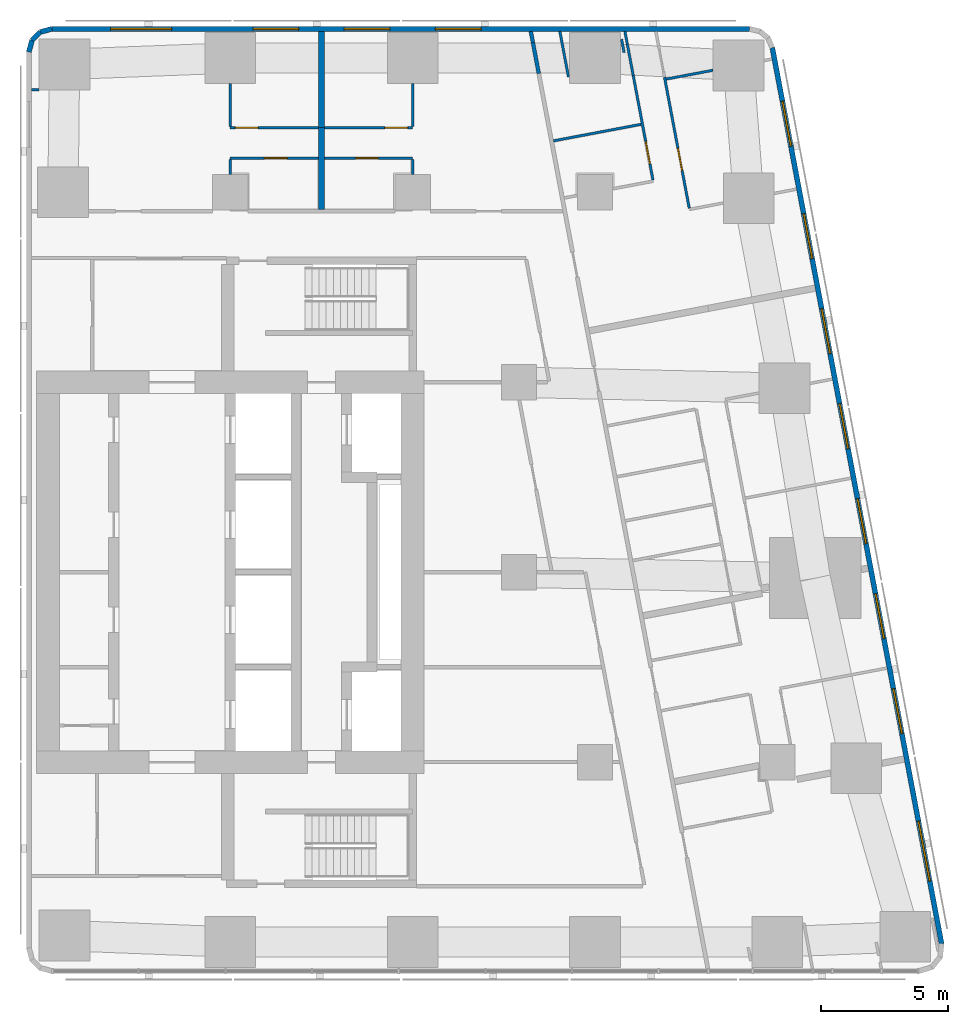
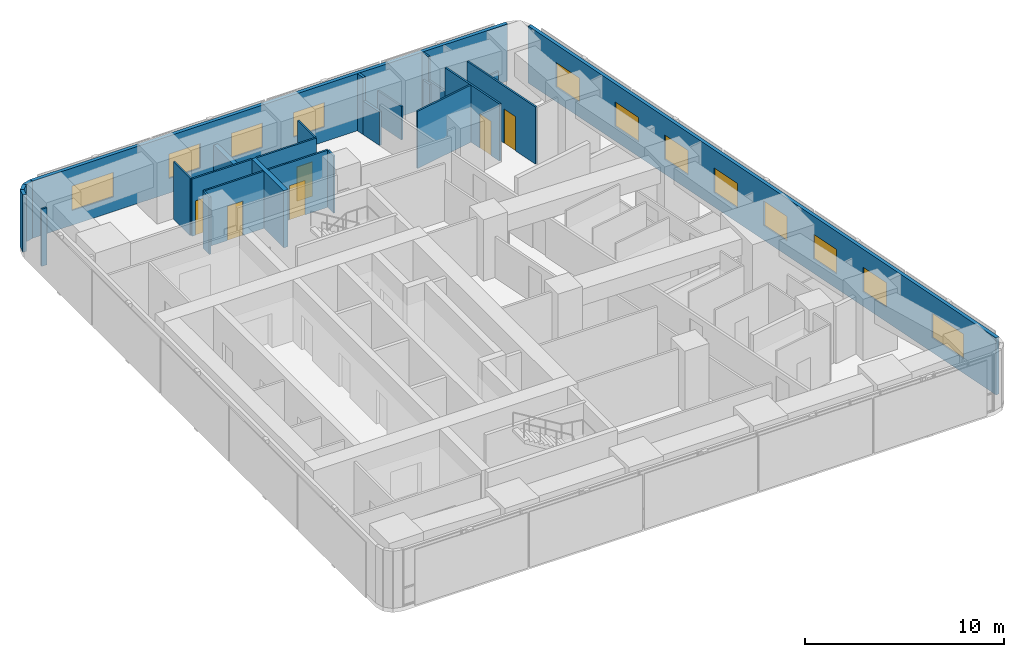
# One storey, part 8 of 11: 26 walls, 12 windows, 6 doors, 18 openings.
"""IFC4 building model written with IfcOpenShell, lengths in metres."""

from ifc_helpers import new_model, si_unit, direction, frame, frame_2d, origin, place, context, subcontext, project, spatial, rectangle, extrude, material, layer, layer_set, type_object, element, fill, save


model = new_model("IFC4")

# Units and contexts
model_context = context("Model", 3, precision=1e-05, world=origin(), true_north=direction((0.0, 1.0)))
body_context = subcontext(model_context, "Body", "Model", "MODEL_VIEW")
ifc_project = project(units=[si_unit("LENGTHUNIT", "METRE"), si_unit("AREAUNIT", "SQUARE_METRE"), si_unit("VOLUMEUNIT", "CUBIC_METRE"), si_unit("PLANEANGLEUNIT", "RADIAN"), si_unit("MASSUNIT", "GRAM", prefix="KILO")], contexts=[model_context])

# Site, building, storey
site_placement = place(None, origin())
site = spatial("IfcSite", under=ifc_project, at=site_placement, CompositionType="ELEMENT")
building_placement = place(site_placement, origin())
building = spatial("IfcBuilding", under=site, at=building_placement, Name="Sheger Commons Tower", CompositionType="ELEMENT")
storey_placement = place(building_placement, frame((0.0, 0.0, 259.10009765625)))
storey = spatial("IfcBuildingStorey", under=building, at=storey_placement, Name="L66", CompositionType="ELEMENT", Elevation=259.10009765625)

# Walls
ifc_material_1 = material(Name="Hollow concrete block masonry, skimmed both sides", Category="masonry")
ifc_layer_1 = layer(ifc_material_1, 0.14990234375)
ifc_layer_set_1 = layer_set([ifc_layer_1], Name="CORRIDOR WALL 150")
wall_type_1 = type_object("IfcWallType", Name="CORRIDOR WALL 150", PredefinedType="SOLIDWALL", material=ifc_layer_set_1)
wall_1_placement = place(storey_placement, frame((33.467041015625, 43.85009765625, 0.0), z_axis=(0.0, 0.0, 1.0), x_axis=(0.184886516626, -0.982759877066, 0.0)))
element("IfcWall", 1, at=wall_1_placement, inside=storey, type_object=wall_type_1, Name="Corridor wall L66", PredefinedType="SOLIDWALL", context=body_context, shape_type="SweptSolid", body=[
    extrude(rectangle(XDim=0.443603515625, YDim=0.14990234375, at=frame_2d((0.2216796875, 0.0))), origin(), (0.0, 0.0, 1.0), 3.5),
])
wall_2_placement = place(storey_placement, frame((33.549072265625, 43.4140625, 0.0), z_axis=(0.0, 0.0, 1.0), x_axis=(0.185585816539, -0.982628060204, 0.0)))
element("IfcWall", 2, at=wall_2_placement, inside=storey, type_object=wall_type_1, Name="Corridor wall L66", PredefinedType="SOLIDWALL", context=body_context, shape_type="SweptSolid", body=[
    extrude(rectangle(XDim=1.249755859375, YDim=0.14990234375, at=frame_2d((0.625, 0.0))), origin(), (0.0, 0.0, 1.0), 2.0498046875),
])
ifc_material_2 = material(Name="Dense concrete block masonry, plastered both sides (separating wall between flats)", Category="masonry")
ifc_layer_2 = layer(ifc_material_2, 0.25)
ifc_layer_set_2 = layer_set([ifc_layer_2], Name="DEMISING WALL 250")
wall_type_2 = type_object("IfcWallType", Name="DEMISING WALL 250", PredefinedType="SOLIDWALL", material=ifc_layer_set_2)
wall_3_placement = place(storey_placement, frame((25.199951171875, 40.050048828125, 0.0), z_axis=(0.0, 0.0, 1.0), x_axis=(0.0, 1.0, 0.0)))
element("IfcWall", 3, at=wall_3_placement, inside=storey, type_object=wall_type_2, Name="Demising wall L66", PredefinedType="SOLIDWALL", context=body_context, shape_type="SweptSolid", body=[
    extrude(rectangle(XDim=3.800048828125, YDim=0.25, at=frame_2d((1.89990234375, 0.0))), origin(), (0.0, 0.0, 1.0), 2.0498046875),
])
wall_4_placement = place(storey_placement, frame((25.199951171875, 36.824951171875, 0.0), z_axis=(0.0, 0.0, 1.0), x_axis=(0.0, 1.0, 0.0)))
element("IfcWall", 4, at=wall_4_placement, inside=storey, type_object=wall_type_2, Name="Demising wall L66", PredefinedType="SOLIDWALL", context=body_context, shape_type="SweptSolid", body=[
    extrude(rectangle(XDim=3.22509765625, YDim=0.25, at=frame_2d((1.612548828125, 0.0))), origin(), (0.0, 0.0, 1.0), 3.5),
])

# Wall, openings, windows
ifc_material_3 = material(Name="Rendered concrete block masonry, dark grey", Category="masonry")
ifc_layer_3 = layer(ifc_material_3, 0.199951171875)
ifc_layer_set_3 = layer_set([ifc_layer_3], Name="FACADE WALL 200")
wall_type_3 = type_object("IfcWallType", Name="FACADE WALL 200", PredefinedType="SOLIDWALL", material=ifc_layer_set_3)
wall_5_placement = place(storey_placement, frame((49.68408203125, 7.83203125, 0.0), z_axis=(0.0, 0.0, 1.0), x_axis=(-0.185616669694, 0.982622232565, 0.0)))
wall_5 = element("IfcWall", 5, at=wall_5_placement, inside=storey, type_object=wall_type_3, Name="Facade wall L66", PredefinedType="SOLIDWALL", context=body_context, shape_type="SweptSolid", body=[
    extrude(rectangle(XDim=35.99951171875, YDim=0.199951171875, at=frame_2d((17.999755859375, 0.0))), origin(), (0.0, 0.0, 1.0), 3.5),
])
opening_1_placement = place(wall_5_placement, frame((2.51806640625, 0.0, 0.89990234375)))
opening_1 = element("IfcOpeningElement", 6, at=opening_1_placement, cuts=wall_5, Name="Opening W1", PredefinedType="OPENING", context=body_context, shape_type="SweptSolid", body=[
    extrude(rectangle(XDim=2.39990234375, YDim=1.5, at=frame_2d((1.199951171875, 0.75))), frame((0.0, 0.10986328125, 0.0), z_axis=(0.0, -1.0, 0.0), x_axis=(1.0, 0.0, 0.0)), (0.0, 0.0, 1.0), 0.219970703125),
])
opening_2_placement = place(wall_5_placement, frame((8.444091796875, 0.0, 0.89990234375)))
opening_2 = element("IfcOpeningElement", 7, at=opening_2_placement, cuts=wall_5, Name="Opening W2", PredefinedType="OPENING", context=body_context, shape_type="SweptSolid", body=[
    extrude(rectangle(XDim=1.800048828125, YDim=1.5, at=frame_2d((0.89990234375, 0.75))), frame((0.0, 0.10986328125, 0.0), z_axis=(0.0, -1.0, 0.0), x_axis=(1.0, 0.0, 0.0)), (0.0, 0.0, 1.0), 0.219970703125),
])
opening_3_placement = place(wall_5_placement, frame((12.260986328125, 0.0, 0.89990234375)))
opening_3 = element("IfcOpeningElement", 8, at=opening_3_placement, cuts=wall_5, Name="Opening W2", PredefinedType="OPENING", context=body_context, shape_type="SweptSolid", body=[
    extrude(rectangle(XDim=1.800048828125, YDim=1.5, at=frame_2d((0.89990234375, 0.75))), frame((0.0, 0.10986328125, 0.0), z_axis=(0.0, -1.0, 0.0), x_axis=(1.0, 0.0, 0.0)), (0.0, 0.0, 1.0), 0.219970703125),
])
opening_4_placement = place(wall_5_placement, frame((16.077880859375, 0.0, 0.89990234375)))
opening_4 = element("IfcOpeningElement", 9, at=opening_4_placement, cuts=wall_5, Name="Opening W2", PredefinedType="OPENING", context=body_context, shape_type="SweptSolid", body=[
    extrude(rectangle(XDim=1.800048828125, YDim=1.5, at=frame_2d((0.89990234375, 0.75))), frame((0.0, 0.10986328125, 0.0), z_axis=(0.0, -1.0, 0.0), x_axis=(1.0, 0.0, 0.0)), (0.0, 0.0, 1.0), 0.219970703125),
])
opening_5_placement = place(wall_5_placement, frame((19.89404296875, 0.0, 0.89990234375)))
opening_5 = element("IfcOpeningElement", 10, at=opening_5_placement, cuts=wall_5, Name="Opening W2", PredefinedType="OPENING", context=body_context, shape_type="SweptSolid", body=[
    extrude(rectangle(XDim=1.800048828125, YDim=1.5, at=frame_2d((0.89990234375, 0.75))), frame((0.0, 0.10986328125, 0.0), z_axis=(0.0, -1.0, 0.0), x_axis=(1.0, 0.0, 0.0)), (0.0, 0.0, 1.0), 0.219970703125),
])
opening_6_placement = place(wall_5_placement, frame((23.7099609375, 0.0, 0.89990234375)))
opening_6 = element("IfcOpeningElement", 11, at=opening_6_placement, cuts=wall_5, Name="Opening W2", PredefinedType="OPENING", context=body_context, shape_type="SweptSolid", body=[
    extrude(rectangle(XDim=1.800048828125, YDim=1.5, at=frame_2d((0.89990234375, 0.75))), frame((0.0, 0.10986328125, 0.0), z_axis=(0.0, -1.0, 0.0), x_axis=(1.0, 0.0, 0.0)), (0.0, 0.0, 1.0), 0.219970703125),
])
opening_7_placement = place(wall_5_placement, frame((27.52587890625, 0.0, 0.89990234375)))
opening_7 = element("IfcOpeningElement", 12, at=opening_7_placement, cuts=wall_5, Name="Opening W2", PredefinedType="OPENING", context=body_context, shape_type="SweptSolid", body=[
    extrude(rectangle(XDim=1.800048828125, YDim=1.5, at=frame_2d((0.89990234375, 0.75))), frame((0.0, 0.10986328125, 0.0), z_axis=(0.0, -1.0, 0.0), x_axis=(1.0, 0.0, 0.0)), (0.0, 0.0, 1.0), 0.219970703125),
])
opening_8_placement = place(wall_5_placement, frame((32.0458984375, 0.0, 0.89990234375)))
opening_8 = element("IfcOpeningElement", 13, at=opening_8_placement, cuts=wall_5, Name="Opening W2", PredefinedType="OPENING", context=body_context, shape_type="SweptSolid", body=[
    extrude(rectangle(XDim=1.800048828125, YDim=1.5, at=frame_2d((0.89990234375, 0.75))), frame((0.0, 0.10986328125, 0.0), z_axis=(0.0, -1.0, 0.0), x_axis=(1.0, 0.0, 0.0)), (0.0, 0.0, 1.0), 0.219970703125),
])
ifc_material_4 = material(Name="Black aluminium frame, dark tinted double glazing", Category="aluminium")
window_type_1 = type_object("IfcWindowType", Name="WINDOW W1 2400x1500", PartitioningType="SINGLE_PANEL", PredefinedType="WINDOW", material=ifc_material_4)
window_1_placement = place(opening_1_placement, origin())
window_1 = element("IfcWindow", 14, at=window_1_placement, inside=storey, type_object=window_type_1, Name="Window W1 2400X1500", OverallHeight=1.5, OverallWidth=2.39990234375, PartitioningType="SINGLE_PANEL", PredefinedType="WINDOW", context=body_context, shape_type="SweptSolid", body=[
    extrude(rectangle(XDim=2.39990234375, YDim=1.5, at=frame_2d((1.199951171875, 0.75))), frame((0.0, 0.030029296875, 0.0), z_axis=(0.0, -1.0, 0.0), x_axis=(1.0, 0.0, 0.0)), (0.0, 0.0, 1.0), 0.06005859375),
])
fill(opening_1, window_1)
ifc_material_5 = material(Name="Black aluminium frame, dark tinted double glazing", Category="aluminium")
window_type_2 = type_object("IfcWindowType", Name="WINDOW W2 1800x1500", PartitioningType="SINGLE_PANEL", PredefinedType="WINDOW", material=ifc_material_5)
window_2_placement = place(opening_2_placement, origin())
window_2 = element("IfcWindow", 15, at=window_2_placement, inside=storey, type_object=window_type_2, Name="Window W2 1800X1500", OverallHeight=1.5, OverallWidth=1.800048828125, PartitioningType="SINGLE_PANEL", PredefinedType="WINDOW", context=body_context, shape_type="SweptSolid", body=[
    extrude(rectangle(XDim=1.800048828125, YDim=1.5, at=frame_2d((0.89990234375, 0.75))), frame((0.0, 0.030029296875, 0.0), z_axis=(0.0, -1.0, 0.0), x_axis=(1.0, 0.0, 0.0)), (0.0, 0.0, 1.0), 0.06005859375),
])
fill(opening_2, window_2)
window_3_placement = place(opening_3_placement, origin())
window_3 = element("IfcWindow", 16, at=window_3_placement, inside=storey, type_object=window_type_2, Name="Window W2 1800X1500", OverallHeight=1.5, OverallWidth=1.800048828125, PartitioningType="SINGLE_PANEL", PredefinedType="WINDOW", context=body_context, shape_type="SweptSolid", body=[
    extrude(rectangle(XDim=1.800048828125, YDim=1.5, at=frame_2d((0.89990234375, 0.75))), frame((0.0, 0.030029296875, 0.0), z_axis=(0.0, -1.0, 0.0), x_axis=(1.0, 0.0, 0.0)), (0.0, 0.0, 1.0), 0.06005859375),
])
fill(opening_3, window_3)
window_4_placement = place(opening_4_placement, origin())
window_4 = element("IfcWindow", 17, at=window_4_placement, inside=storey, type_object=window_type_2, Name="Window W2 1800X1500", OverallHeight=1.5, OverallWidth=1.800048828125, PartitioningType="SINGLE_PANEL", PredefinedType="WINDOW", context=body_context, shape_type="SweptSolid", body=[
    extrude(rectangle(XDim=1.800048828125, YDim=1.5, at=frame_2d((0.89990234375, 0.75))), frame((0.0, 0.030029296875, 0.0), z_axis=(0.0, -1.0, 0.0), x_axis=(1.0, 0.0, 0.0)), (0.0, 0.0, 1.0), 0.06005859375),
])
fill(opening_4, window_4)
window_5_placement = place(opening_5_placement, origin())
window_5 = element("IfcWindow", 18, at=window_5_placement, inside=storey, type_object=window_type_2, Name="Window W2 1800X1500", OverallHeight=1.5, OverallWidth=1.800048828125, PartitioningType="SINGLE_PANEL", PredefinedType="WINDOW", context=body_context, shape_type="SweptSolid", body=[
    extrude(rectangle(XDim=1.800048828125, YDim=1.5, at=frame_2d((0.89990234375, 0.75))), frame((0.0, 0.030029296875, 0.0), z_axis=(0.0, -1.0, 0.0), x_axis=(1.0, 0.0, 0.0)), (0.0, 0.0, 1.0), 0.06005859375),
])
fill(opening_5, window_5)
window_6_placement = place(opening_6_placement, origin())
window_6 = element("IfcWindow", 19, at=window_6_placement, inside=storey, type_object=window_type_2, Name="Window W2 1800X1500", OverallHeight=1.5, OverallWidth=1.800048828125, PartitioningType="SINGLE_PANEL", PredefinedType="WINDOW", context=body_context, shape_type="SweptSolid", body=[
    extrude(rectangle(XDim=1.800048828125, YDim=1.5, at=frame_2d((0.89990234375, 0.75))), frame((0.0, 0.030029296875, 0.0), z_axis=(0.0, -1.0, 0.0), x_axis=(1.0, 0.0, 0.0)), (0.0, 0.0, 1.0), 0.06005859375),
])
fill(opening_6, window_6)
window_7_placement = place(opening_7_placement, origin())
window_7 = element("IfcWindow", 20, at=window_7_placement, inside=storey, type_object=window_type_2, Name="Window W2 1800X1500", OverallHeight=1.5, OverallWidth=1.800048828125, PartitioningType="SINGLE_PANEL", PredefinedType="WINDOW", context=body_context, shape_type="SweptSolid", body=[
    extrude(rectangle(XDim=1.800048828125, YDim=1.5, at=frame_2d((0.89990234375, 0.75))), frame((0.0, 0.030029296875, 0.0), z_axis=(0.0, -1.0, 0.0), x_axis=(1.0, 0.0, 0.0)), (0.0, 0.0, 1.0), 0.06005859375),
])
fill(opening_7, window_7)
window_8_placement = place(opening_8_placement, origin())
window_8 = element("IfcWindow", 21, at=window_8_placement, inside=storey, type_object=window_type_2, Name="Window W2 1800X1500", OverallHeight=1.5, OverallWidth=1.800048828125, PartitioningType="SINGLE_PANEL", PredefinedType="WINDOW", context=body_context, shape_type="SweptSolid", body=[
    extrude(rectangle(XDim=1.800048828125, YDim=1.5, at=frame_2d((0.89990234375, 0.75))), frame((0.0, 0.030029296875, 0.0), z_axis=(0.0, -1.0, 0.0), x_axis=(1.0, 0.0, 0.0)), (0.0, 0.0, 1.0), 0.06005859375),
])
fill(opening_8, window_8)

wall_6_placement = place(storey_placement, frame((42.10302734375, 43.949951171875, 0.0), z_axis=(0.0, 0.0, 1.0), x_axis=(-1.0, 0.0, 0.0)))
wall_6 = element("IfcWall", 22, at=wall_6_placement, inside=storey, type_object=wall_type_3, Name="Facade wall L66", PredefinedType="SOLIDWALL", context=body_context, shape_type="SweptSolid", body=[
    extrude(rectangle(XDim=27.5400390625, YDim=0.199951171875, at=frame_2d((13.77001953125, 0.0))), origin(), (0.0, 0.0, 1.0), 3.5),
])
opening_9_placement = place(wall_6_placement, frame((10.60302734375, 0.0, 0.89990234375)))
opening_9 = element("IfcOpeningElement", 23, at=opening_9_placement, cuts=wall_6, Name="Opening W2", PredefinedType="OPENING", context=body_context, shape_type="SweptSolid", body=[
    extrude(rectangle(XDim=1.800048828125, YDim=1.5, at=frame_2d((0.89990234375, 0.75))), frame((0.0, 0.10986328125, 0.0), z_axis=(0.0, -1.0, 0.0), x_axis=(1.0, 0.0, 0.0)), (0.0, 0.0, 1.0), 0.219970703125),
])
opening_10_placement = place(wall_6_placement, frame((14.202880859375, 0.0, 0.89990234375)))
opening_10 = element("IfcOpeningElement", 24, at=opening_10_placement, cuts=wall_6, Name="Opening W2", PredefinedType="OPENING", context=body_context, shape_type="SweptSolid", body=[
    extrude(rectangle(XDim=1.800048828125, YDim=1.5, at=frame_2d((0.89990234375, 0.75))), frame((0.0, 0.10986328125, 0.0), z_axis=(0.0, -1.0, 0.0), x_axis=(1.0, 0.0, 0.0)), (0.0, 0.0, 1.0), 0.219970703125),
])
opening_11_placement = place(wall_6_placement, frame((17.802978515625, 0.0, 0.89990234375)))
opening_11 = element("IfcOpeningElement", 25, at=opening_11_placement, cuts=wall_6, Name="Opening W2", PredefinedType="OPENING", context=body_context, shape_type="SweptSolid", body=[
    extrude(rectangle(XDim=1.800048828125, YDim=1.5, at=frame_2d((0.89990234375, 0.75))), frame((0.0, 0.10986328125, 0.0), z_axis=(0.0, -1.0, 0.0), x_axis=(1.0, 0.0, 0.0)), (0.0, 0.0, 1.0), 0.219970703125),
])
opening_12_placement = place(wall_6_placement, frame((22.822021484375, 0.0, 0.89990234375)))
opening_12 = element("IfcOpeningElement", 26, at=opening_12_placement, cuts=wall_6, Name="Opening W1", PredefinedType="OPENING", context=body_context, shape_type="SweptSolid", body=[
    extrude(rectangle(XDim=2.39990234375, YDim=1.5, at=frame_2d((1.199951171875, 0.75))), frame((0.0, 0.10986328125, 0.0), z_axis=(0.0, -1.0, 0.0), x_axis=(1.0, 0.0, 0.0)), (0.0, 0.0, 1.0), 0.219970703125),
])
window_9_placement = place(opening_12_placement, origin())
window_9 = element("IfcWindow", 27, at=window_9_placement, inside=storey, type_object=window_type_1, Name="Window W1 2400X1500", OverallHeight=1.5, OverallWidth=2.39990234375, PartitioningType="SINGLE_PANEL", PredefinedType="WINDOW", context=body_context, shape_type="SweptSolid", body=[
    extrude(rectangle(XDim=2.39990234375, YDim=1.5, at=frame_2d((1.199951171875, 0.75))), frame((0.0, 0.030029296875, 0.0), z_axis=(0.0, -1.0, 0.0), x_axis=(1.0, 0.0, 0.0)), (0.0, 0.0, 1.0), 0.06005859375),
])
fill(opening_12, window_9)
window_10_placement = place(opening_9_placement, origin())
window_10 = element("IfcWindow", 28, at=window_10_placement, inside=storey, type_object=window_type_2, Name="Window W2 1800X1500", OverallHeight=1.5, OverallWidth=1.800048828125, PartitioningType="SINGLE_PANEL", PredefinedType="WINDOW", context=body_context, shape_type="SweptSolid", body=[
    extrude(rectangle(XDim=1.800048828125, YDim=1.5, at=frame_2d((0.89990234375, 0.75))), frame((0.0, 0.030029296875, 0.0), z_axis=(0.0, -1.0, 0.0), x_axis=(1.0, 0.0, 0.0)), (0.0, 0.0, 1.0), 0.06005859375),
])
fill(opening_9, window_10)
window_11_placement = place(opening_10_placement, origin())
window_11 = element("IfcWindow", 29, at=window_11_placement, inside=storey, type_object=window_type_2, Name="Window W2 1800X1500", OverallHeight=1.5, OverallWidth=1.800048828125, PartitioningType="SINGLE_PANEL", PredefinedType="WINDOW", context=body_context, shape_type="SweptSolid", body=[
    extrude(rectangle(XDim=1.800048828125, YDim=1.5, at=frame_2d((0.89990234375, 0.75))), frame((0.0, 0.030029296875, 0.0), z_axis=(0.0, -1.0, 0.0), x_axis=(1.0, 0.0, 0.0)), (0.0, 0.0, 1.0), 0.06005859375),
])
fill(opening_10, window_11)
window_12_placement = place(opening_11_placement, origin())
window_12 = element("IfcWindow", 30, at=window_12_placement, inside=storey, type_object=window_type_2, Name="Window W2 1800X1500", OverallHeight=1.5, OverallWidth=1.800048828125, PartitioningType="SINGLE_PANEL", PredefinedType="WINDOW", context=body_context, shape_type="SweptSolid", body=[
    extrude(rectangle(XDim=1.800048828125, YDim=1.5, at=frame_2d((0.89990234375, 0.75))), frame((0.0, 0.030029296875, 0.0), z_axis=(0.0, -1.0, 0.0), x_axis=(1.0, 0.0, 0.0)), (0.0, 0.0, 1.0), 0.06005859375),
])
fill(opening_11, window_12)

# Walls
wall_7_placement = place(storey_placement, frame((14.56298828125, 43.949951171875, 0.0), z_axis=(0.0, 0.0, 1.0), x_axis=(-0.965655254015, -0.259826731483, 0.0)))
element("IfcWall", 31, at=wall_7_placement, inside=storey, type_object=wall_type_3, Name="Facade wall L66", PredefinedType="SOLIDWALL", context=body_context, shape_type="SweptSolid", body=[
    extrude(rectangle(XDim=0.477294921875, YDim=0.199951171875, at=frame_2d((0.23876953125, 0.0))), origin(), (0.0, 0.0, 1.0), 3.5),
])
wall_8_placement = place(storey_placement, frame((14.10205078125, 43.825927734375, 0.0), z_axis=(0.0, 0.0, 1.0), x_axis=(-0.707369890659, -0.706843573776, 0.0)))
element("IfcWall", 32, at=wall_8_placement, inside=storey, type_object=wall_type_3, Name="Facade wall L66", PredefinedType="SOLIDWALL", context=body_context, shape_type="SweptSolid", body=[
    extrude(rectangle(XDim=0.4638671875, YDim=0.199951171875, at=frame_2d((0.23193359375, 0.0))), origin(), (0.0, 0.0, 1.0), 3.5),
])
wall_9_placement = place(storey_placement, frame((13.77392578125, 43.498046875, 0.0), z_axis=(0.0, 0.0, 1.0), x_axis=(-0.259826731483, -0.965655254015, 0.0)))
element("IfcWall", 33, at=wall_9_placement, inside=storey, type_object=wall_type_3, Name="Facade wall L66", PredefinedType="SOLIDWALL", context=body_context, shape_type="SweptSolid", body=[
    extrude(rectangle(XDim=0.477294921875, YDim=0.199951171875, at=frame_2d((0.23876953125, 0.0))), origin(), (0.0, 0.0, 1.0), 3.5),
])
ifc_material_6 = material(Name="Gypsum board on steel studs", Category="steel")
ifc_layer_4 = layer(ifc_material_6, 0.10009765625)
ifc_layer_set_4 = layer_set([ifc_layer_4], Name="PARTITION 100")
wall_type_4 = type_object("IfcWallType", Name="PARTITION 100", PredefinedType="PARTITIONING", material=ifc_layer_set_4)
wall_10_placement = place(storey_placement, frame((34.951904296875, 42.054931640625, 0.0), z_axis=(0.0, 0.0, 1.0), x_axis=(-0.185490642006, 0.98264603074, 0.0)))
element("IfcWall", 34, at=wall_10_placement, inside=storey, type_object=wall_type_4, Name="Partition L66", PredefinedType="PARTITIONING", context=body_context, shape_type="SweptSolid", body=[
    extrude(rectangle(XDim=1.826904296875, YDim=0.10009765625, at=frame_2d((0.91357421875, 0.0))), origin(), (0.0, 0.0, 1.0), 2.0498046875),
])
wall_11_placement = place(storey_placement, frame((37.049072265625, 43.5390625, 0.0), z_axis=(0.0, 0.0, 1.0), x_axis=(0.186119495745, -0.982527115811, 0.0)))
element("IfcWall", 35, at=wall_11_placement, inside=storey, type_object=wall_type_4, Name="Partition L66", PredefinedType="PARTITIONING", context=body_context, shape_type="SweptSolid", body=[
    extrude(rectangle(XDim=0.53125, YDim=0.10009765625, at=frame_2d((0.265625, 0.0))), origin(), (0.0, 0.0, 1.0), 2.0498046875),
])

# Wall, opening, door
wall_12_placement = place(storey_placement, frame((38.743896484375, 42.044921875, 0.0), z_axis=(0.0, 0.0, 1.0), x_axis=(0.185564988614, -0.982631993679, 0.0)))
wall_12 = element("IfcWall", 36, at=wall_12_placement, inside=storey, type_object=wall_type_4, Name="Partition L66", PredefinedType="PARTITIONING", context=body_context, shape_type="SweptSolid", body=[
    extrude(rectangle(XDim=5.265380859375, YDim=0.10009765625, at=frame_2d((2.6328125, 0.0))), origin(), (0.0, 0.0, 1.0), 3.5),
])
opening_13_placement = place(wall_12_placement, frame((2.85595703125, 0.0, 0.0)))
opening_13 = element("IfcOpeningElement", 37, at=opening_13_placement, cuts=wall_12, Name="Opening D2", PredefinedType="OPENING", context=body_context, shape_type="SweptSolid", body=[
    extrude(rectangle(XDim=0.89990234375, YDim=2.10009765625, at=frame_2d((0.449951171875, 1.050048828125))), frame((0.0, 0.06005859375, 0.0), z_axis=(0.0, -1.0, 0.0), x_axis=(1.0, 0.0, 0.0)), (0.0, 0.0, 1.0), 0.1201171875),
])
ifc_material_7 = material(Name="Timber door set", Category="wood")
door_type = type_object("IfcDoorType", Name="INTERNAL DOOR 900x2100", OperationType="NOTDEFINED", PredefinedType="DOOR", material=ifc_material_7)
door_1_placement = place(opening_13_placement, origin())
door_1 = element("IfcDoor", 38, at=door_1_placement, inside=storey, type_object=door_type, Name="Main bedroom door", OperationType="SINGLE_SWING_RIGHT", OverallHeight=2.10009765625, OverallWidth=0.89990234375, PredefinedType="DOOR", context=body_context, shape_type="SweptSolid", body=[
    extrude(rectangle(XDim=0.89990234375, YDim=2.10009765625, at=frame_2d((0.449951171875, 1.050048828125))), frame((0.0, 0.02490234375, 0.0), z_axis=(0.0, -1.0, 0.0), x_axis=(1.0, 0.0, 0.0)), (0.0, 0.0, 1.0), 0.050048828125),
])
fill(opening_13, door_1)

# Walls
wall_13_placement = place(storey_placement, frame((37.180908203125, 43.85009765625, 0.0), z_axis=(0.0, 0.0, 1.0), x_axis=(0.185121727606, -0.982715597703, 0.0)))
element("IfcWall", 39, at=wall_13_placement, inside=storey, type_object=wall_type_4, Name="Partition L66", PredefinedType="PARTITIONING", context=body_context, shape_type="SweptSolid", body=[
    extrude(rectangle(XDim=0.512939453125, YDim=0.10009765625, at=frame_2d((0.25634765625, 0.0))), origin(), (0.0, 0.0, 1.0), 3.5),
])
wall_14_placement = place(storey_placement, frame((37.27587890625, 43.345947265625, 0.0), z_axis=(0.0, 0.0, 1.0), x_axis=(0.185962504646, -0.982556841544, 0.0)))
element("IfcWall", 40, at=wall_14_placement, inside=storey, type_object=wall_type_4, Name="Partition L66", PredefinedType="PARTITIONING", context=body_context, shape_type="SweptSolid", body=[
    extrude(rectangle(XDim=1.259033203125, YDim=0.10009765625, at=frame_2d((0.62939453125, 0.0))), origin(), (0.0, 0.0, 1.0), 2.0498046875),
])

# Wall, opening, door
wall_15_placement = place(storey_placement, frame((37.510009765625, 42.10888671875, 0.0), z_axis=(0.0, 0.0, 1.0), x_axis=(0.185580569503, -0.98262905118, 0.0)))
wall_15 = element("IfcWall", 41, at=wall_15_placement, inside=storey, type_object=wall_type_4, Name="Partition L66", PredefinedType="PARTITIONING", context=body_context, shape_type="SweptSolid", body=[
    extrude(rectangle(XDim=4.197998046875, YDim=0.10009765625, at=frame_2d((2.09912109375, 0.0))), origin(), (0.0, 0.0, 1.0), 3.5),
])
opening_14_placement = place(wall_15_placement, frame((2.64990234375, 0.0, 0.0)))
opening_14 = element("IfcOpeningElement", 42, at=opening_14_placement, cuts=wall_15, Name="Opening D2", PredefinedType="OPENING", context=body_context, shape_type="SweptSolid", body=[
    extrude(rectangle(XDim=0.89990234375, YDim=2.10009765625, at=frame_2d((0.449951171875, 1.050048828125))), frame((0.0, 0.06005859375, 0.0), z_axis=(0.0, -1.0, 0.0), x_axis=(1.0, 0.0, 0.0)), (0.0, 0.0, 1.0), 0.1201171875),
])
door_2_placement = place(opening_14_placement, origin())
door_2 = element("IfcDoor", 43, at=door_2_placement, inside=storey, type_object=door_type, Name="Bathroom door", OperationType="SINGLE_SWING_LEFT", OverallHeight=2.10009765625, OverallWidth=0.89990234375, PredefinedType="DOOR", context=body_context, shape_type="SweptSolid", body=[
    extrude(rectangle(XDim=0.89990234375, YDim=2.10009765625, at=frame_2d((0.449951171875, 1.050048828125))), frame((0.0, 0.02490234375, 0.0), z_axis=(0.0, -1.0, 0.0), x_axis=(1.0, 0.0, 0.0)), (0.0, 0.0, 1.0), 0.050048828125),
])
fill(opening_14, door_2)

# Walls
wall_16_placement = place(storey_placement, frame((40.656982421875, 42.31494140625, 0.0), z_axis=(0.0, 0.0, 1.0), x_axis=(-0.982622785543, -0.185613742305, 0.0)))
element("IfcWall", 44, at=wall_16_placement, inside=storey, type_object=wall_type_4, Name="Partition L66", PredefinedType="PARTITIONING", context=body_context, shape_type="SweptSolid", body=[
    extrude(rectangle(XDim=1.879638671875, YDim=0.10009765625, at=frame_2d((0.93994140625, 0.0))), origin(), (0.0, 0.0, 1.0), 2.0498046875),
])
wall_17_placement = place(storey_placement, frame((37.822998046875, 40.181884765625, 0.0), z_axis=(0.0, 0.0, 1.0), x_axis=(-0.98263926043, -0.185526504472, 0.0)))
element("IfcWall", 45, at=wall_17_placement, inside=storey, type_object=wall_type_4, Name="Partition L66", PredefinedType="PARTITIONING", context=body_context, shape_type="SweptSolid", body=[
    extrude(rectangle(XDim=3.524169921875, YDim=0.10009765625, at=frame_2d((1.76220703125, 0.0))), origin(), (0.0, 0.0, 1.0), 3.5),
])
wall_18_placement = place(storey_placement, frame((14.053955078125, 41.5458984375, 0.0), z_axis=(0.0, 0.0, 1.0), x_axis=(-1.0, 0.0, 0.0)))
element("IfcWall", 46, at=wall_18_placement, inside=storey, type_object=wall_type_4, Name="Partition L66", PredefinedType="PARTITIONING", context=body_context, shape_type="SweptSolid", body=[
    extrude(rectangle(XDim=0.303955078125, YDim=0.10009765625, at=frame_2d((0.15185546875, 0.0))), origin(), (0.0, 0.0, 1.0), 3.5),
])

# Wall, opening, door
wall_19_placement = place(storey_placement, frame((21.60009765625, 40.050048828125, 0.0), z_axis=(0.0, 0.0, 1.0), x_axis=(1.0, 0.0, 0.0)))
wall_19 = element("IfcWall", 47, at=wall_19_placement, inside=storey, type_object=wall_type_4, Name="Partition L66", PredefinedType="PARTITIONING", context=body_context, shape_type="SweptSolid", body=[
    extrude(rectangle(XDim=3.474853515625, YDim=0.10009765625, at=frame_2d((1.7373046875, 0.0))), origin(), (0.0, 0.0, 1.0), 3.5),
])
opening_15_placement = place(wall_19_placement, frame((0.199951171875, 0.0, 0.0)))
opening_15 = element("IfcOpeningElement", 48, at=opening_15_placement, cuts=wall_19, Name="Opening D2", PredefinedType="OPENING", context=body_context, shape_type="SweptSolid", body=[
    extrude(rectangle(XDim=0.89990234375, YDim=2.10009765625, at=frame_2d((0.449951171875, 1.050048828125))), frame((0.0, 0.06005859375, 0.0), z_axis=(0.0, -1.0, 0.0), x_axis=(1.0, 0.0, 0.0)), (0.0, 0.0, 1.0), 0.1201171875),
])
door_3_placement = place(opening_15_placement, origin())
door_3 = element("IfcDoor", 49, at=door_3_placement, inside=storey, type_object=door_type, Name="Main bedroom door", OperationType="SINGLE_SWING_LEFT", OverallHeight=2.10009765625, OverallWidth=0.89990234375, PredefinedType="DOOR", context=body_context, shape_type="SweptSolid", body=[
    extrude(rectangle(XDim=0.89990234375, YDim=2.10009765625, at=frame_2d((0.449951171875, 1.050048828125))), frame((0.0, 0.02490234375, 0.0), z_axis=(0.0, -1.0, 0.0), x_axis=(1.0, 0.0, 0.0)), (0.0, 0.0, 1.0), 0.050048828125),
])
fill(opening_15, door_3)

wall_20_placement = place(storey_placement, frame((21.60009765625, 38.85009765625, 0.0), z_axis=(0.0, 0.0, 1.0), x_axis=(1.0, 0.0, 0.0)))
wall_20 = element("IfcWall", 50, at=wall_20_placement, inside=storey, type_object=wall_type_4, Name="Partition L66", PredefinedType="PARTITIONING", context=body_context, shape_type="SweptSolid", body=[
    extrude(rectangle(XDim=3.474853515625, YDim=0.10009765625, at=frame_2d((1.7373046875, 0.0))), origin(), (0.0, 0.0, 1.0), 3.5),
])
opening_16_placement = place(wall_20_placement, frame((1.35009765625, 0.0, 0.0)))
opening_16 = element("IfcOpeningElement", 51, at=opening_16_placement, cuts=wall_20, Name="Opening D2", PredefinedType="OPENING", context=body_context, shape_type="SweptSolid", body=[
    extrude(rectangle(XDim=0.89990234375, YDim=2.10009765625, at=frame_2d((0.449951171875, 1.050048828125))), frame((0.0, 0.06005859375, 0.0), z_axis=(0.0, -1.0, 0.0), x_axis=(1.0, 0.0, 0.0)), (0.0, 0.0, 1.0), 0.1201171875),
])
door_4_placement = place(opening_16_placement, origin())
door_4 = element("IfcDoor", 52, at=door_4_placement, inside=storey, type_object=door_type, Name="Bathroom door", OperationType="SINGLE_SWING_LEFT", OverallHeight=2.10009765625, OverallWidth=0.89990234375, PredefinedType="DOOR", context=body_context, shape_type="SweptSolid", body=[
    extrude(rectangle(XDim=0.89990234375, YDim=2.10009765625, at=frame_2d((0.449951171875, 1.050048828125))), frame((0.0, 0.02490234375, 0.0), z_axis=(0.0, -1.0, 0.0), x_axis=(1.0, 0.0, 0.0)), (0.0, 0.0, 1.0), 0.050048828125),
])
fill(opening_16, door_4)

# Walls
wall_21_placement = place(storey_placement, frame((21.60009765625, 40.10009765625, 0.0), z_axis=(0.0, 0.0, 1.0), x_axis=(0.0, 1.0, 0.0)))
element("IfcWall", 53, at=wall_21_placement, inside=storey, type_object=wall_type_4, Name="Partition L66", PredefinedType="PARTITIONING", context=body_context, shape_type="SweptSolid", body=[
    extrude(rectangle(XDim=1.698974609375, YDim=0.10009765625, at=frame_2d((0.849609375, 0.0))), origin(), (0.0, 0.0, 1.0), 3.5),
])
wall_22_placement = place(storey_placement, frame((21.60009765625, 38.200927734375, 0.0), z_axis=(0.0, 0.0, 1.0), x_axis=(0.0, 1.0, 0.0)))
element("IfcWall", 54, at=wall_22_placement, inside=storey, type_object=wall_type_4, Name="Partition L66", PredefinedType="PARTITIONING", context=body_context, shape_type="SweptSolid", body=[
    extrude(rectangle(XDim=0.59912109375, YDim=0.10009765625, at=frame_2d((0.299560546875, 0.0))), origin(), (0.0, 0.0, 1.0), 3.5),
])

# Wall, opening, door
wall_23_placement = place(storey_placement, frame((25.324951171875, 40.050048828125, 0.0), z_axis=(0.0, 0.0, 1.0), x_axis=(1.0, 0.0, 0.0)))
wall_23 = element("IfcWall", 55, at=wall_23_placement, inside=storey, type_object=wall_type_4, Name="Partition L66", PredefinedType="PARTITIONING", context=body_context, shape_type="SweptSolid", body=[
    extrude(rectangle(XDim=3.47509765625, YDim=0.10009765625, at=frame_2d((1.737548828125, 0.0))), origin(), (0.0, 0.0, 1.0), 3.5),
])
opening_17_placement = place(wall_23_placement, frame((2.375, 0.0, 0.0)))
opening_17 = element("IfcOpeningElement", 56, at=opening_17_placement, cuts=wall_23, Name="Opening D2", PredefinedType="OPENING", context=body_context, shape_type="SweptSolid", body=[
    extrude(rectangle(XDim=0.89990234375, YDim=2.10009765625, at=frame_2d((0.449951171875, 1.050048828125))), frame((0.0, 0.06005859375, 0.0), z_axis=(0.0, -1.0, 0.0), x_axis=(1.0, 0.0, 0.0)), (0.0, 0.0, 1.0), 0.1201171875),
])
door_5_placement = place(opening_17_placement, origin())
door_5 = element("IfcDoor", 57, at=door_5_placement, inside=storey, type_object=door_type, Name="Main bedroom door", OperationType="SINGLE_SWING_RIGHT", OverallHeight=2.10009765625, OverallWidth=0.89990234375, PredefinedType="DOOR", context=body_context, shape_type="SweptSolid", body=[
    extrude(rectangle(XDim=0.89990234375, YDim=2.10009765625, at=frame_2d((0.449951171875, 1.050048828125))), frame((0.0, 0.02490234375, 0.0), z_axis=(0.0, -1.0, 0.0), x_axis=(1.0, 0.0, 0.0)), (0.0, 0.0, 1.0), 0.050048828125),
])
fill(opening_17, door_5)

wall_24_placement = place(storey_placement, frame((25.324951171875, 38.85009765625, 0.0), z_axis=(0.0, 0.0, 1.0), x_axis=(1.0, 0.0, 0.0)))
wall_24 = element("IfcWall", 58, at=wall_24_placement, inside=storey, type_object=wall_type_4, Name="Partition L66", PredefinedType="PARTITIONING", context=body_context, shape_type="SweptSolid", body=[
    extrude(rectangle(XDim=3.47509765625, YDim=0.10009765625, at=frame_2d((1.737548828125, 0.0))), origin(), (0.0, 0.0, 1.0), 3.5),
])
opening_18_placement = place(wall_24_placement, frame((1.22509765625, 0.0, 0.0)))
opening_18 = element("IfcOpeningElement", 59, at=opening_18_placement, cuts=wall_24, Name="Opening D2", PredefinedType="OPENING", context=body_context, shape_type="SweptSolid", body=[
    extrude(rectangle(XDim=0.89990234375, YDim=2.10009765625, at=frame_2d((0.449951171875, 1.050048828125))), frame((0.0, 0.06005859375, 0.0), z_axis=(0.0, -1.0, 0.0), x_axis=(1.0, 0.0, 0.0)), (0.0, 0.0, 1.0), 0.1201171875),
])
door_6_placement = place(opening_18_placement, origin())
door_6 = element("IfcDoor", 60, at=door_6_placement, inside=storey, type_object=door_type, Name="Bathroom door", OperationType="SINGLE_SWING_RIGHT", OverallHeight=2.10009765625, OverallWidth=0.89990234375, PredefinedType="DOOR", context=body_context, shape_type="SweptSolid", body=[
    extrude(rectangle(XDim=0.89990234375, YDim=2.10009765625, at=frame_2d((0.449951171875, 1.050048828125))), frame((0.0, 0.02490234375, 0.0), z_axis=(0.0, -1.0, 0.0), x_axis=(1.0, 0.0, 0.0)), (0.0, 0.0, 1.0), 0.050048828125),
])
fill(opening_18, door_6)

# Walls
wall_25_placement = place(storey_placement, frame((28.800048828125, 40.10009765625, 0.0), z_axis=(0.0, 0.0, 1.0), x_axis=(0.0, 1.0, 0.0)))
element("IfcWall", 61, at=wall_25_placement, inside=storey, type_object=wall_type_4, Name="Partition L66", PredefinedType="PARTITIONING", context=body_context, shape_type="SweptSolid", body=[
    extrude(rectangle(XDim=1.698974609375, YDim=0.10009765625, at=frame_2d((0.849609375, 0.0))), origin(), (0.0, 0.0, 1.0), 3.5),
])
wall_26_placement = place(storey_placement, frame((28.800048828125, 38.200927734375, 0.0), z_axis=(0.0, 0.0, 1.0), x_axis=(0.0, 1.0, 0.0)))
element("IfcWall", 62, at=wall_26_placement, inside=storey, type_object=wall_type_4, Name="Partition L66", PredefinedType="PARTITIONING", context=body_context, shape_type="SweptSolid", body=[
    extrude(rectangle(XDim=0.59912109375, YDim=0.10009765625, at=frame_2d((0.299560546875, 0.0))), origin(), (0.0, 0.0, 1.0), 3.5),
])

save(model, "model.ifc")
